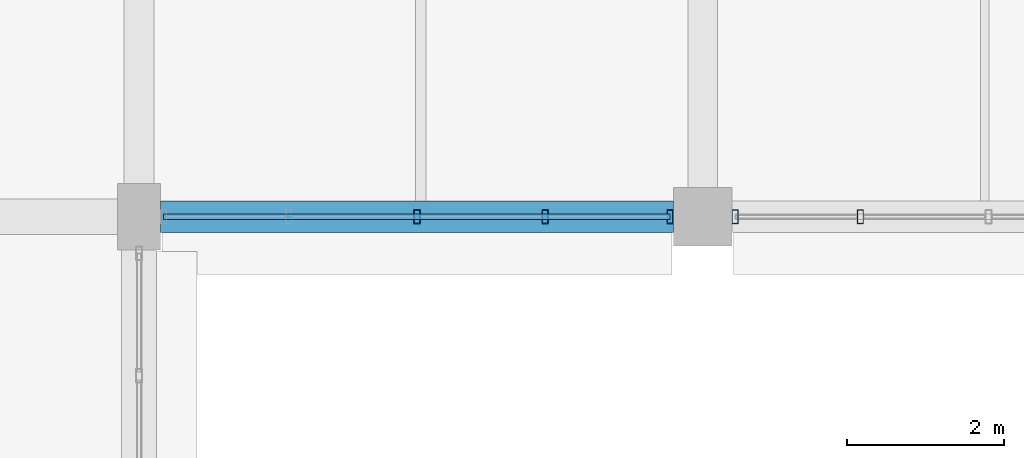
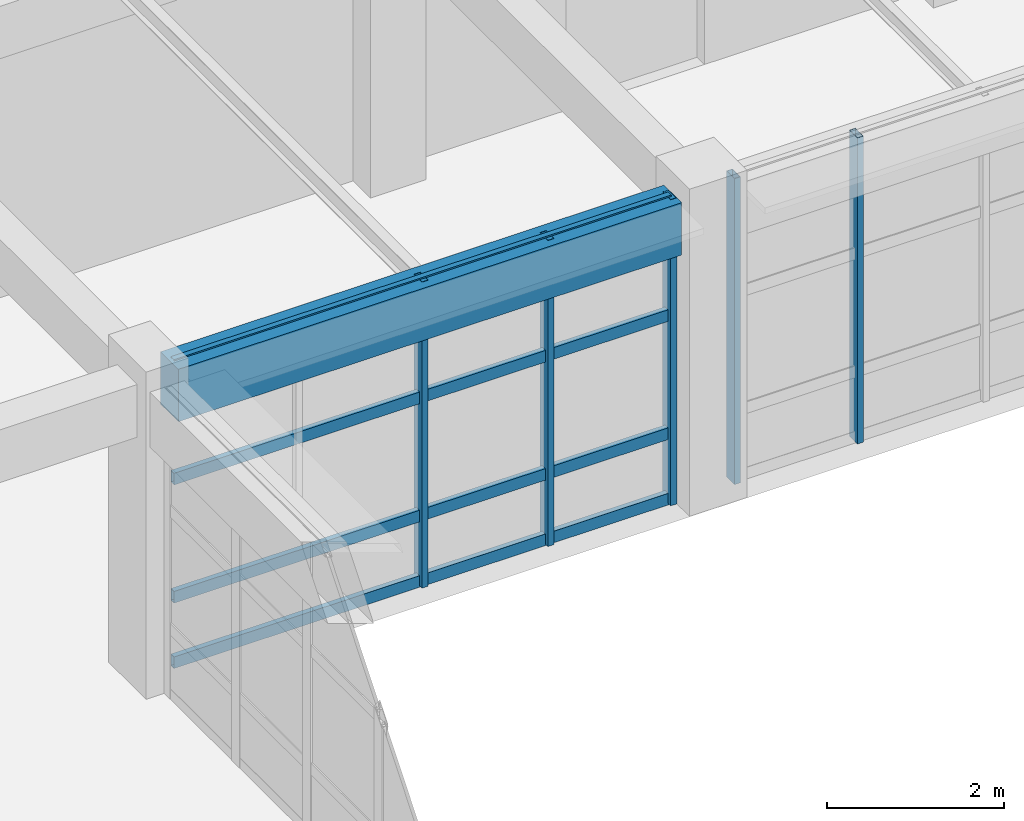
# One storey, part 54 of 171: 9 members, 1 beam, 2 elements without a shape of their own.
"""IFC4 building model written with IfcOpenShell, lengths in metres."""

from ifc_helpers import new_model, si_unit, direction, frame, origin, origin_2d, place, context, subcontext, project, spatial, rectangle, hollow_rectangle, extrude, material, material_profile, profile_set, type_object, element, aggregate, save


model = new_model("IFC4")

# Units and contexts
model_context = context("Model", 3, precision=1e-05, world=origin(), true_north=direction((0.0, 1.0)))
body_context = subcontext(model_context, "Body", "Model", "MODEL_VIEW")
ifc_project = project(units=[si_unit("LENGTHUNIT", "METRE"), si_unit("AREAUNIT", "SQUARE_METRE"), si_unit("VOLUMEUNIT", "CUBIC_METRE"), si_unit("PLANEANGLEUNIT", "RADIAN"), si_unit("MASSUNIT", "GRAM", prefix="KILO")], contexts=[model_context])

# Site, building, storey
site_placement = place(None, origin())
site = spatial("IfcSite", under=ifc_project, at=site_placement, CompositionType="ELEMENT")
building_placement = place(site_placement, origin())
building = spatial("IfcBuilding", under=site, at=building_placement, Name="Thalmaran Polytechnic", CompositionType="ELEMENT")
storey_placement = place(building_placement, frame((0.0, 0.0, 5.39990234375)))
storey = spatial("IfcBuildingStorey", under=building, at=storey_placement, Name="L01", CompositionType="ELEMENT", Elevation=5.39990234375)

# Beam
ifc_material_1 = material(Name="Concrete C40/50", Category="concrete")
ifc_material_profile_1 = material_profile(ifc_material_1, rectangle(XDim=0.39990234375, YDim=0.719970703125, at=origin_2d()), Name="RC 400x720")
ifc_profile_set_1 = profile_set([ifc_material_profile_1], Name="Concrete C40/50")
beam_type = type_object("IfcBeamType", Name="BM-SP01", PredefinedType="SPANDREL", material=ifc_profile_set_1)
beam_placement = place(storey_placement, frame((21.875, 93.60009765625, 3.85009765625), z_axis=(1.0, 0.0, 0.0), x_axis=(0.0, 1.0, 0.0)))
element("IfcBeam", 1, at=beam_placement, inside=storey, type_object=beam_type, Name="Grid Beam SP01 L01 X(3,13)", PredefinedType="SPANDREL", context=body_context, shape_type="SweptSolid", body=[
    extrude(rectangle(XDim=0.39990234375, YDim=0.719970703125, at=origin_2d()), origin(), (0.0, 0.0, 1.0), 6.550048828125),
])

# Curtain wall, members
ifc_material_2 = material(Name="Aluminium 6063-T6", Category="aluminium")
curtain_wall_type = type_object("IfcCurtainWallType", Name="CW-UC02", PredefinedType="USERDEFINED", material=ifc_material_2)
curtain_wall_1_placement = place(storey_placement, origin())
curtain_wall_1 = element("IfcCurtainWall", 2, at=curtain_wall_1_placement, inside=storey, type_object=curtain_wall_type, Name="Curtain Wall CW-L01-134", ObjectType="UNITISED CURTAIN WALL", PredefinedType="USERDEFINED")
ifc_material_profile_2 = material_profile(ifc_material_2, hollow_rectangle(XDim=0.080078125, YDim=0.179931640625, WallThickness=0.0048828125, at=origin_2d()), Name="RHS 180x80x5.0")
ifc_profile_set_2 = profile_set([ifc_material_profile_2], Name="Aluminium 6063-T6")
member_type_1 = type_object("IfcMemberType", Name="CW-MUL1", PredefinedType="MULLION", material=ifc_profile_set_2)
member_1_placement = place(storey_placement, frame((30.8125, 93.60009765625, 0.0), z_axis=(0.0, 0.0, 1.0), x_axis=(1.0, 0.0, 0.0)))
member_1 = element("IfcMember", 3, at=member_1_placement, type_object=member_type_1, Name="CW-L01-134 Mullion 4", PredefinedType="MULLION", context=body_context, shape_type="SweptSolid", body=[
    extrude(hollow_rectangle(XDim=0.080078125, YDim=0.179931640625, WallThickness=0.0048828125, at=origin_2d()), origin(), (0.0, 0.0, 1.0), 4.210205078125),
])
member_2_placement = place(storey_placement, frame((29.215087890625, 93.60009765625, 0.0), z_axis=(0.0, 0.0, 1.0), x_axis=(1.0, 0.0, 0.0)))
member_2 = element("IfcMember", 4, at=member_2_placement, type_object=member_type_1, Name="CW-L01-134 Mullion 5", PredefinedType="MULLION", context=body_context, shape_type="SweptSolid", body=[
    extrude(hollow_rectangle(XDim=0.080078125, YDim=0.179931640625, WallThickness=0.0048828125, at=origin_2d()), origin(), (0.0, 0.0, 1.0), 4.210205078125),
])
aggregate(curtain_wall_1, [member_1, member_2])

curtain_wall_2_placement = place(storey_placement, origin())
curtain_wall_2 = element("IfcCurtainWall", 5, at=curtain_wall_2_placement, inside=storey, type_object=curtain_wall_type, Name="Curtain Wall CW-L01-135", ObjectType="UNITISED CURTAIN WALL", PredefinedType="USERDEFINED")
member_3_placement = place(storey_placement, frame((28.385009765625, 93.60009765625, 0.0), z_axis=(0.0, 0.0, 1.0), x_axis=(1.0, 0.0, 0.0)))
member_3 = element("IfcMember", 6, at=member_3_placement, type_object=member_type_1, Name="CW-L01-135 Mullion 1", PredefinedType="MULLION", context=body_context, shape_type="SweptSolid", body=[
    extrude(hollow_rectangle(XDim=0.080078125, YDim=0.179931640625, WallThickness=0.0048828125, at=origin_2d()), origin(), (0.0, 0.0, 1.0), 4.210205078125),
])
member_4_placement = place(storey_placement, frame((26.78759765625, 93.60009765625, 0.0), z_axis=(0.0, 0.0, 1.0), x_axis=(1.0, 0.0, 0.0)))
member_4 = element("IfcMember", 7, at=member_4_placement, type_object=member_type_1, Name="CW-L01-135 Mullion 2", PredefinedType="MULLION", context=body_context, shape_type="SweptSolid", body=[
    extrude(hollow_rectangle(XDim=0.080078125, YDim=0.179931640625, WallThickness=0.0048828125, at=origin_2d()), origin(), (0.0, 0.0, 1.0), 4.210205078125),
])
member_5_placement = place(storey_placement, frame((25.14990234375, 93.60009765625, 0.0), z_axis=(0.0, 0.0, 1.0), x_axis=(1.0, 0.0, 0.0)))
member_5 = element("IfcMember", 8, at=member_5_placement, type_object=member_type_1, Name="CW-L01-135 Mullion 3", PredefinedType="MULLION", context=body_context, shape_type="SweptSolid", body=[
    extrude(hollow_rectangle(XDim=0.080078125, YDim=0.179931640625, WallThickness=0.0048828125, at=origin_2d()), origin(), (0.0, 0.0, 1.0), 4.210205078125),
])
ifc_material_profile_3 = material_profile(ifc_material_2, hollow_rectangle(XDim=0.070068359375, YDim=0.159912109375, WallThickness=0.00390625, at=origin_2d()), Name="AL 160x70x4.0")
ifc_profile_set_3 = profile_set([ifc_material_profile_3], Name="Aluminium 6063-T6")
member_type_2 = type_object("IfcMemberType", Name="CW-TRN1", PredefinedType="USERDEFINED", material=ifc_profile_set_3)
member_6_placement = place(storey_placement, frame((28.385009765625, 93.60009765625, 0.06005859375), z_axis=(-1.0, 0.0, 0.0), x_axis=(0.0, -1.0, 0.0)))
member_6 = element("IfcMember", 9, at=member_6_placement, type_object=member_type_2, Name="CW-L01-135 Transom 1", ObjectType="TRANSOM", PredefinedType="USERDEFINED", context=body_context, shape_type="SweptSolid", body=[
    extrude(hollow_rectangle(XDim=0.070068359375, YDim=0.159912109375, WallThickness=0.00390625, at=origin_2d()), origin(), (0.0, 0.0, 1.0), 6.469970703125),
])
member_7_placement = place(storey_placement, frame((28.385009765625, 93.60009765625, 0.960205078125), z_axis=(-1.0, 0.0, 0.0), x_axis=(0.0, -1.0, 0.0)))
member_7 = element("IfcMember", 10, at=member_7_placement, type_object=member_type_2, Name="CW-L01-135 Transom 2", ObjectType="TRANSOM", PredefinedType="USERDEFINED", context=body_context, shape_type="SweptSolid", body=[
    extrude(hollow_rectangle(XDim=0.070068359375, YDim=0.159912109375, WallThickness=0.00390625, at=origin_2d()), origin(), (0.0, 0.0, 1.0), 6.469970703125),
])
member_8_placement = place(storey_placement, frame((28.385009765625, 93.60009765625, 2.585205078125), z_axis=(-1.0, 0.0, 0.0), x_axis=(0.0, -1.0, 0.0)))
member_8 = element("IfcMember", 11, at=member_8_placement, type_object=member_type_2, Name="CW-L01-135 Transom 3", ObjectType="TRANSOM", PredefinedType="USERDEFINED", context=body_context, shape_type="SweptSolid", body=[
    extrude(hollow_rectangle(XDim=0.070068359375, YDim=0.159912109375, WallThickness=0.00390625, at=origin_2d()), origin(), (0.0, 0.0, 1.0), 6.469970703125),
])
member_9_placement = place(storey_placement, frame((28.385009765625, 93.60009765625, 4.150146484375), z_axis=(-1.0, 0.0, 0.0), x_axis=(0.0, -1.0, 0.0)))
member_9 = element("IfcMember", 12, at=member_9_placement, type_object=member_type_2, Name="CW-L01-135 Transom 4", ObjectType="TRANSOM", PredefinedType="USERDEFINED", context=body_context, shape_type="SweptSolid", body=[
    extrude(hollow_rectangle(XDim=0.070068359375, YDim=0.159912109375, WallThickness=0.00390625, at=origin_2d()), origin(), (0.0, 0.0, 1.0), 6.469970703125),
])
aggregate(curtain_wall_2, [member_3, member_4, member_5, member_6, member_7, member_8, member_9])

save(model, "model.ifc")
